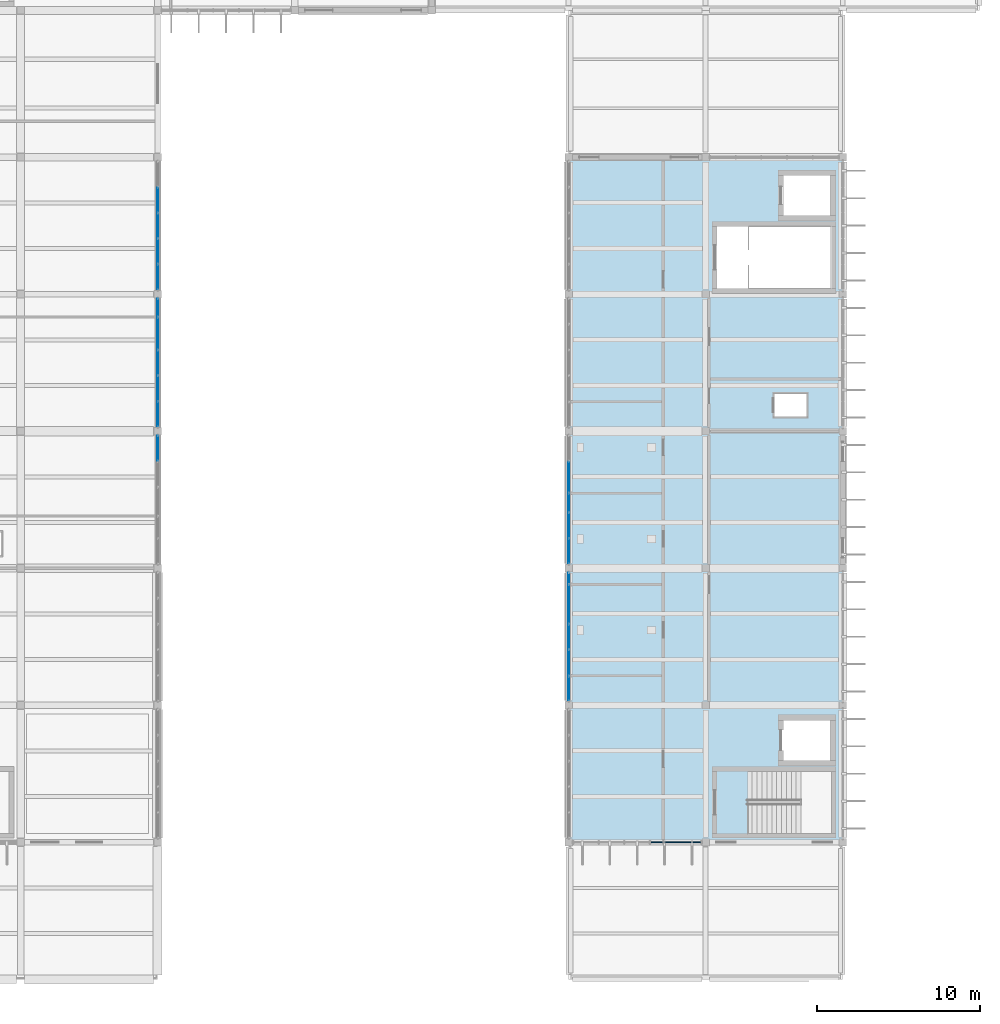
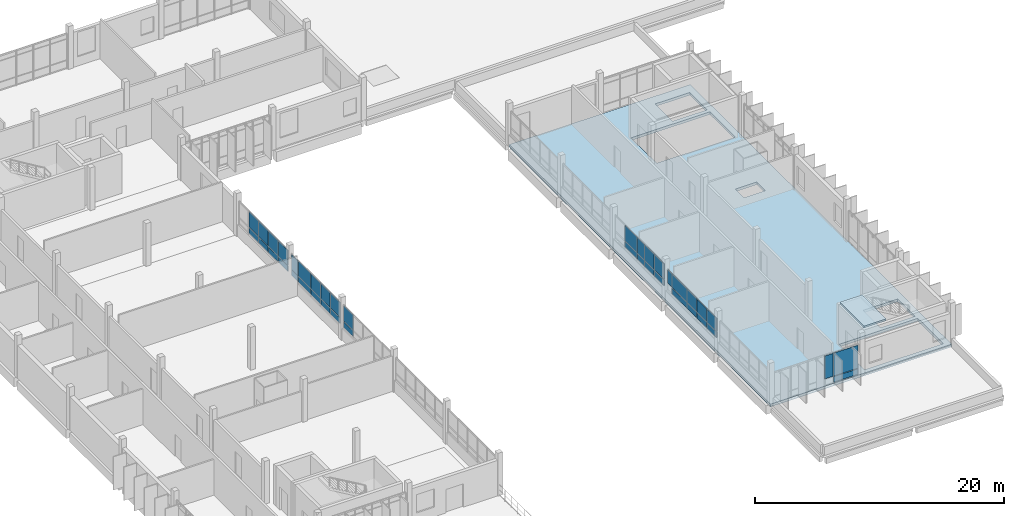
# One storey, part 45 of 62: 40 plates, 2 slabs, 5 openings, 7 elements without a shape of their own.
"""IFC4 building model written with IfcOpenShell, lengths in metres."""

from ifc_helpers import new_model, si_unit, direction, frame, origin, origin_2d, place, context, subcontext, project, spatial, polyline, rectangle, outline, extrude, material, layer, layer_set, type_object, element, aggregate, save


model = new_model("IFC4")

# Units and contexts
model_context = context("Model", 3, precision=1e-05, world=origin(), true_north=direction((0.0, 1.0)))
body_context = subcontext(model_context, "Body", "Model", "MODEL_VIEW")
ifc_project = project(units=[si_unit("LENGTHUNIT", "METRE"), si_unit("AREAUNIT", "SQUARE_METRE"), si_unit("VOLUMEUNIT", "CUBIC_METRE"), si_unit("PLANEANGLEUNIT", "RADIAN"), si_unit("MASSUNIT", "GRAM", prefix="KILO")], contexts=[model_context])

# Site, building, storey
site_placement = place(None, origin())
site = spatial("IfcSite", under=ifc_project, at=site_placement, CompositionType="ELEMENT")
building_placement = place(site_placement, origin())
building = spatial("IfcBuilding", under=site, at=building_placement, Name="Vireocrest Preparatory School", CompositionType="ELEMENT")
storey_placement = place(building_placement, frame((0.0, 0.0, 17.39990234375)))
storey = spatial("IfcBuildingStorey", under=building, at=storey_placement, Name="L04", CompositionType="ELEMENT", Elevation=17.39990234375)

# Curtain wall, plates
ifc_material_1 = material(Name="Thermally broken aluminium EN AW-6063-T6", Category="aluminium")
ifc_layer_1 = layer(ifc_material_1, 0.179931640625)
ifc_layer_set_1 = layer_set([ifc_layer_1], Name="Thermally broken aluminium EN AW-6063-T6")
curtain_wall_type_1 = type_object("IfcCurtainWallType", Name="Side Facade Curtain Wall 9000x4200", PredefinedType="USERDEFINED", material=ifc_layer_set_1)
curtain_wall_1_placement = place(storey_placement, origin())
curtain_wall_1 = element("IfcCurtainWall", 1, at=curtain_wall_1_placement, inside=storey, type_object=curtain_wall_type_1, Name="Curtain Wall CW07 CW_L04_CW07_0926_0438_174", ObjectType="CURTAIN WALL", PredefinedType="USERDEFINED")
ifc_material_2 = material(Name="Insulated triple low-e tempered safety glass", Category="glass")
ifc_layer_2 = layer(ifc_material_2, 0.074951171875)
ifc_layer_set_2 = layer_set([ifc_layer_2], Name="Insulated triple low-e tempered safety glass")
plate_type_1 = type_object("IfcPlateType", Name="Acoustic Triple-Glazed Lab Curtain Panel 75", PredefinedType="CURTAIN_PANEL", material=ifc_layer_set_2)
plate_1_placement = place(storey_placement, frame((97.7939453125, 43.800048828125, 0.732421875), z_axis=(0.0, 0.0, 1.0), x_axis=(1.0, 0.0, 0.0)))
plate_1 = element("IfcPlate", 2, at=plate_1_placement, type_object=plate_type_1, Name="CW Panel GL2 CW_L04_CW07_0926_0438_174-4-2", PredefinedType="CURTAIN_PANEL", context=body_context, shape_type="SweptSolid", body=[
    extrude(rectangle(XDim=0.7470703125, YDim=0.074951171875, at=origin_2d()), origin(), (0.0, 0.0, 1.0), 2.239990234375),
])
plate_2_placement = place(storey_placement, frame((99.3701171875, 43.800048828125, 0.127685546875), z_axis=(0.0, 0.0, 1.0), x_axis=(1.0, 0.0, 0.0)))
plate_2 = element("IfcPlate", 3, at=plate_2_placement, type_object=plate_type_1, Name="CW Panel GL2 CW_L04_CW07_0926_0438_174-5-1", PredefinedType="CURTAIN_PANEL", context=body_context, shape_type="SweptSolid", body=[
    extrude(rectangle(XDim=2.27490234375, YDim=0.074951171875, at=origin_2d()), origin(), (0.0, 0.0, 1.0), 0.5400390625),
])
plate_3_placement = place(storey_placement, frame((99.3701171875, 43.800048828125, 0.732421875), z_axis=(0.0, 0.0, 1.0), x_axis=(1.0, 0.0, 0.0)))
plate_3 = element("IfcPlate", 4, at=plate_3_placement, type_object=plate_type_1, Name="CW Panel GL2 CW_L04_CW07_0926_0438_174-5-2", PredefinedType="CURTAIN_PANEL", context=body_context, shape_type="SweptSolid", body=[
    extrude(rectangle(XDim=2.27490234375, YDim=0.074951171875, at=origin_2d()), origin(), (0.0, 0.0, 1.0), 2.239990234375),
])
aggregate(curtain_wall_1, [plate_1, plate_2, plate_3])

# Stair, slab
ifc_material_3 = material(Name="Concrete 40 MPa", Category="concrete")
stair_type = type_object("IfcStairType", Name="Feature Library Stair 4200 Rise 1800 Wide", PredefinedType="HALF_TURN_STAIR", material=ifc_material_3)
stair_placement = place(storey_placement, origin())
stair = element("IfcStair", 5, at=stair_placement, inside=storey, type_object=stair_type, Name="Two-Run Stair ST2-L04", PredefinedType="HALF_TURN_STAIR")
ifc_layer_3 = layer(ifc_material_3, 0.179931640625)
ifc_layer_set_3 = layer_set([ifc_layer_3], Name="Concrete 40 MPa")
slab_type_1 = type_object("IfcSlabType", Name="Precast Concrete Stair Landing Slab 180", PredefinedType="LANDING", material=ifc_layer_set_3)
slab_1_placement = place(storey_placement, frame((0.0, 0.0, 4.02001953125)))
slab_1 = element("IfcSlab", 6, at=slab_1_placement, type_object=slab_type_1, Name="Stair Arrival Landing ST2-L04", PredefinedType="LANDING", context=body_context, shape_type="SweptSolid", body=[
    extrude(outline(polyline([(101.35498046875, 44.31005859375), (103.409912109375, 44.31005859375), (103.409912109375, 48.18994140625), (101.35498046875, 48.18994140625), (101.35498046875, 44.31005859375)])), origin(), (0.0, 0.0, 1.0), 0.18017578125),
])
aggregate(stair, [slab_1])

# Slab, openings
ifc_layer_4 = layer(ifc_material_3, 0.260009765625)
ifc_layer_set_4 = layer_set([ifc_layer_4], Name="Concrete 40 MPa")
slab_type_2 = type_object("IfcSlabType", Name="Science Laboratory Low-Vibration RC Slab 260", PredefinedType="FLOOR", material=ifc_layer_set_4)
slab_2_placement = place(storey_placement, frame((0.0, 0.0, -0.260009765625)))
slab_2 = element("IfcSlab", 7, at=slab_2_placement, inside=storey, type_object=slab_type_2, Name="Slab L04_EAST_WING", PredefinedType="FLOOR", context=body_context, shape_type="SweptSolid", body=[
    extrude(outline(polyline([(92.39990234375, 43.800048828125), (109.199951171875, 43.800048828125), (109.199951171875, 85.800048828125), (92.39990234375, 85.800048828125), (92.39990234375, 43.800048828125)])), origin(), (0.0, 0.0, 1.0), 0.260009765625),
])
opening_1_placement = place(slab_2_placement, frame((0.0, 0.0, -0.010009765625)))
element("IfcOpeningElement", 8, at=opening_1_placement, cuts=slab_2, Name="Slab Opening SLAB_L04_EAST_WING-1", PredefinedType="OPENING", context=body_context, shape_type="SweptSolid", body=[
    extrude(outline(polyline([(101.35009765625, 44.199951171875), (108.64990234375, 44.199951171875), (108.64990234375, 48.300048828125), (101.35009765625, 48.300048828125), (101.35009765625, 44.199951171875)])), origin(), (0.0, 0.0, 1.0), 0.280029296875),
])
opening_2_placement = place(slab_2_placement, frame((0.0, 0.0, -0.010009765625)))
element("IfcOpeningElement", 9, at=opening_2_placement, cuts=slab_2, Name="Slab Opening SLAB_L04_EAST_WING-2", PredefinedType="OPENING", context=body_context, shape_type="SweptSolid", body=[
    extrude(outline(polyline([(105.39990234375, 48.64990234375), (108.60009765625, 48.64990234375), (108.60009765625, 51.449951171875), (105.39990234375, 51.449951171875), (105.39990234375, 48.64990234375)])), origin(), (0.0, 0.0, 1.0), 0.280029296875),
])
opening_3_placement = place(slab_2_placement, frame((0.0, 0.0, -0.010009765625)))
element("IfcOpeningElement", 10, at=opening_3_placement, cuts=slab_2, Name="Slab Opening SLAB_L04_EAST_WING-3", PredefinedType="OPENING", context=body_context, shape_type="SweptSolid", body=[
    extrude(outline(polyline([(101.35009765625, 77.60009765625), (108.64990234375, 77.60009765625), (108.64990234375, 81.699951171875), (101.35009765625, 81.699951171875), (101.35009765625, 77.60009765625)])), origin(), (0.0, 0.0, 1.0), 0.280029296875),
])
opening_4_placement = place(slab_2_placement, frame((0.0, 0.0, -0.010009765625)))
element("IfcOpeningElement", 11, at=opening_4_placement, cuts=slab_2, Name="Slab Opening SLAB_L04_EAST_WING-4", PredefinedType="OPENING", context=body_context, shape_type="SweptSolid", body=[
    extrude(outline(polyline([(105.39990234375, 82.050048828125), (108.60009765625, 82.050048828125), (108.60009765625, 84.85009765625), (105.39990234375, 84.85009765625), (105.39990234375, 82.050048828125)])), origin(), (0.0, 0.0, 1.0), 0.280029296875),
])
opening_5_placement = place(slab_2_placement, frame((0.0, 0.0, -0.010009765625)))
element("IfcOpeningElement", 12, at=opening_5_placement, cuts=slab_2, Name="Slab Opening SLAB_L04_EAST_WING-5", PredefinedType="OPENING", context=body_context, shape_type="SweptSolid", body=[
    extrude(outline(polyline([(105.0, 69.89990234375), (107.0, 69.89990234375), (107.0, 71.300048828125), (105.0, 71.300048828125), (105.0, 69.89990234375)])), origin(), (0.0, 0.0, 1.0), 0.280029296875),
])

# Curtain wall, plates
ifc_layer_5 = layer(ifc_material_1, 0.179931640625)
ifc_layer_set_5 = layer_set([ifc_layer_5], Name="Thermally broken aluminium EN AW-6063-T6")
curtain_wall_type_2 = type_object("IfcCurtainWallType", Name="Court Banded Curtain Wall 8400x3000", PredefinedType="USERDEFINED", material=ifc_layer_set_5)
curtain_wall_2_placement = place(storey_placement, origin())
curtain_wall_2 = element("IfcCurtainWall", 13, at=curtain_wall_2_placement, inside=storey, type_object=curtain_wall_type_2, Name="Curtain Wall CW02 CW_L04_CW02_0672_0608_186", ObjectType="CURTAIN WALL", PredefinedType="USERDEFINED")
ifc_layer_6 = layer(ifc_material_2, 0.06005859375)
ifc_layer_set_6 = layer_set([ifc_layer_6], Name="Insulated triple low-e tempered safety glass")
plate_type_2 = type_object("IfcPlateType", Name="Triple-Glazed Vision Curtain Panel 60", PredefinedType="CURTAIN_PANEL", material=ifc_layer_set_6)
plate_4_placement = place(storey_placement, frame((67.199951171875, 67.951904296875, 1.277587890625), z_axis=(0.0, 0.0, 1.0), x_axis=(0.0, 1.0, 0.0)))
plate_4 = element("IfcPlate", 14, at=plate_4_placement, type_object=plate_type_2, Name="CW Panel GL1 CW_L04_CW02_0672_0608_186-5-1", PredefinedType="CURTAIN_PANEL", context=body_context, shape_type="SweptSolid", body=[
    extrude(rectangle(XDim=1.510986328125, YDim=0.06005859375, at=origin_2d()), origin(), (0.0, 0.0, 1.0), 0.5400390625),
])
plate_5_placement = place(storey_placement, frame((67.199951171875, 67.951904296875, 1.8828125), z_axis=(0.0, 0.0, 1.0), x_axis=(0.0, 1.0, 0.0)))
plate_5 = element("IfcPlate", 15, at=plate_5_placement, type_object=plate_type_2, Name="CW Panel GL1 CW_L04_CW02_0672_0608_186-5-2", PredefinedType="CURTAIN_PANEL", context=body_context, shape_type="SweptSolid", body=[
    extrude(rectangle(XDim=1.510986328125, YDim=0.06005859375, at=origin_2d()), origin(), (0.0, 0.0, 1.0), 1.489990234375),
])
aggregate(curtain_wall_2, [plate_4, plate_5])

curtain_wall_3_placement = place(storey_placement, origin())
curtain_wall_3 = element("IfcCurtainWall", 16, at=curtain_wall_3_placement, inside=storey, type_object=curtain_wall_type_2, Name="Curtain Wall CW02 CW_L04_CW02_0672_0692_186", ObjectType="CURTAIN WALL", PredefinedType="USERDEFINED")
plate_6_placement = place(storey_placement, frame((67.199951171875, 70.048095703125, 1.277587890625), z_axis=(0.0, 0.0, 1.0), x_axis=(0.0, 1.0, 0.0)))
plate_6 = element("IfcPlate", 17, at=plate_6_placement, type_object=plate_type_2, Name="CW Panel GL1 CW_L04_CW02_0672_0692_186-1-1", PredefinedType="CURTAIN_PANEL", context=body_context, shape_type="SweptSolid", body=[
    extrude(rectangle(XDim=1.510986328125, YDim=0.06005859375, at=origin_2d()), origin(), (0.0, 0.0, 1.0), 0.5400390625),
])
plate_7_placement = place(storey_placement, frame((67.199951171875, 70.048095703125, 1.882568359375), z_axis=(0.0, 0.0, 1.0), x_axis=(0.0, 1.0, 0.0)))
plate_7 = element("IfcPlate", 18, at=plate_7_placement, type_object=plate_type_2, Name="CW Panel GL1 CW_L04_CW02_0672_0692_186-1-2", PredefinedType="CURTAIN_PANEL", context=body_context, shape_type="SweptSolid", body=[
    extrude(rectangle(XDim=1.510986328125, YDim=0.06005859375, at=origin_2d()), origin(), (0.0, 0.0, 1.0), 1.43994140625),
])
plate_8_placement = place(storey_placement, frame((67.199951171875, 71.6240234375, 1.277587890625), z_axis=(0.0, 0.0, 1.0), x_axis=(0.0, 1.0, 0.0)))
plate_8 = element("IfcPlate", 19, at=plate_8_placement, type_object=plate_type_2, Name="CW Panel GL1 CW_L04_CW02_0672_0692_186-2-1", PredefinedType="CURTAIN_PANEL", context=body_context, shape_type="SweptSolid", body=[
    extrude(rectangle(XDim=1.510986328125, YDim=0.06005859375, at=origin_2d()), origin(), (0.0, 0.0, 1.0), 0.5400390625),
])
plate_9_placement = place(storey_placement, frame((67.199951171875, 71.6240234375, 1.882568359375), z_axis=(0.0, 0.0, 1.0), x_axis=(0.0, 1.0, 0.0)))
plate_9 = element("IfcPlate", 20, at=plate_9_placement, type_object=plate_type_2, Name="CW Panel GL1 CW_L04_CW02_0672_0692_186-2-2", PredefinedType="CURTAIN_PANEL", context=body_context, shape_type="SweptSolid", body=[
    extrude(rectangle(XDim=1.510986328125, YDim=0.06005859375, at=origin_2d()), origin(), (0.0, 0.0, 1.0), 1.43994140625),
])
plate_10_placement = place(storey_placement, frame((67.199951171875, 73.199951171875, 1.277587890625), z_axis=(0.0, 0.0, 1.0), x_axis=(0.0, 1.0, 0.0)))
plate_10 = element("IfcPlate", 21, at=plate_10_placement, type_object=plate_type_2, Name="CW Panel GL1 CW_L04_CW02_0672_0692_186-3-1", PredefinedType="CURTAIN_PANEL", context=body_context, shape_type="SweptSolid", body=[
    extrude(rectangle(XDim=1.510986328125, YDim=0.06005859375, at=origin_2d()), origin(), (0.0, 0.0, 1.0), 0.5400390625),
])
plate_11_placement = place(storey_placement, frame((67.199951171875, 73.199951171875, 1.882568359375), z_axis=(0.0, 0.0, 1.0), x_axis=(0.0, 1.0, 0.0)))
plate_11 = element("IfcPlate", 22, at=plate_11_placement, type_object=plate_type_2, Name="CW Panel GL1 CW_L04_CW02_0672_0692_186-3-2", PredefinedType="CURTAIN_PANEL", context=body_context, shape_type="SweptSolid", body=[
    extrude(rectangle(XDim=1.510986328125, YDim=0.06005859375, at=origin_2d()), origin(), (0.0, 0.0, 1.0), 1.43994140625),
])
plate_12_placement = place(storey_placement, frame((67.199951171875, 74.993896484375, 1.277587890625), z_axis=(0.0, 0.0, 1.0), x_axis=(0.0, 1.0, 0.0)))
plate_12 = element("IfcPlate", 23, at=plate_12_placement, type_object=plate_type_2, Name="CW Panel GL1 CW_L04_CW02_0672_0692_186-4-1", PredefinedType="CURTAIN_PANEL", context=body_context, shape_type="SweptSolid", body=[
    extrude(rectangle(XDim=1.947021484375, YDim=0.06005859375, at=origin_2d()), origin(), (0.0, 0.0, 1.0), 0.5400390625),
])
plate_13_placement = place(storey_placement, frame((67.199951171875, 74.993896484375, 1.882568359375), z_axis=(0.0, 0.0, 1.0), x_axis=(0.0, 1.0, 0.0)))
plate_13 = element("IfcPlate", 24, at=plate_13_placement, type_object=plate_type_2, Name="CW Panel GL1 CW_L04_CW02_0672_0692_186-4-2", PredefinedType="CURTAIN_PANEL", context=body_context, shape_type="SweptSolid", body=[
    extrude(rectangle(XDim=1.947021484375, YDim=0.06005859375, at=origin_2d()), origin(), (0.0, 0.0, 1.0), 1.43994140625),
])
plate_14_placement = place(storey_placement, frame((67.199951171875, 76.570068359375, 1.277587890625), z_axis=(0.0, 0.0, 1.0), x_axis=(0.0, 1.0, 0.0)))
plate_14 = element("IfcPlate", 25, at=plate_14_placement, type_object=plate_type_2, Name="CW Panel GL1 CW_L04_CW02_0672_0692_186-5-1", PredefinedType="CURTAIN_PANEL", context=body_context, shape_type="SweptSolid", body=[
    extrude(rectangle(XDim=1.074951171875, YDim=0.06005859375, at=origin_2d()), origin(), (0.0, 0.0, 1.0), 0.5400390625),
])
plate_15_placement = place(storey_placement, frame((67.199951171875, 76.570068359375, 1.882568359375), z_axis=(0.0, 0.0, 1.0), x_axis=(0.0, 1.0, 0.0)))
plate_15 = element("IfcPlate", 26, at=plate_15_placement, type_object=plate_type_2, Name="CW Panel GL1 CW_L04_CW02_0672_0692_186-5-2", PredefinedType="CURTAIN_PANEL", context=body_context, shape_type="SweptSolid", body=[
    extrude(rectangle(XDim=1.074951171875, YDim=0.06005859375, at=origin_2d()), origin(), (0.0, 0.0, 1.0), 1.43994140625),
])
aggregate(curtain_wall_3, [plate_6, plate_7, plate_8, plate_9, plate_10, plate_11, plate_12, plate_13, plate_14, plate_15])

curtain_wall_4_placement = place(storey_placement, origin())
curtain_wall_4 = element("IfcCurtainWall", 27, at=curtain_wall_4_placement, inside=storey, type_object=curtain_wall_type_2, Name="Curtain Wall CW02 CW_L04_CW02_0672_0776_186", ObjectType="CURTAIN WALL", PredefinedType="USERDEFINED")
plate_16_placement = place(storey_placement, frame((67.199951171875, 78.447998046875, 1.277587890625), z_axis=(0.0, 0.0, 1.0), x_axis=(0.0, 1.0, 0.0)))
plate_16 = element("IfcPlate", 28, at=plate_16_placement, type_object=plate_type_2, Name="CW Panel GL1 CW_L04_CW02_0672_0776_186-1-1", PredefinedType="CURTAIN_PANEL", context=body_context, shape_type="SweptSolid", body=[
    extrude(rectangle(XDim=1.510986328125, YDim=0.06005859375, at=origin_2d()), origin(), (0.0, 0.0, 1.0), 0.5400390625),
])
plate_17_placement = place(storey_placement, frame((67.199951171875, 78.447998046875, 1.8828125), z_axis=(0.0, 0.0, 1.0), x_axis=(0.0, 1.0, 0.0)))
plate_17 = element("IfcPlate", 29, at=plate_17_placement, type_object=plate_type_2, Name="CW Panel GL1 CW_L04_CW02_0672_0776_186-1-2", PredefinedType="CURTAIN_PANEL", context=body_context, shape_type="SweptSolid", body=[
    extrude(rectangle(XDim=1.510986328125, YDim=0.06005859375, at=origin_2d()), origin(), (0.0, 0.0, 1.0), 1.489990234375),
])
plate_18_placement = place(storey_placement, frame((67.199951171875, 80.02392578125, 1.277587890625), z_axis=(0.0, 0.0, 1.0), x_axis=(0.0, 1.0, 0.0)))
plate_18 = element("IfcPlate", 30, at=plate_18_placement, type_object=plate_type_2, Name="CW Panel GL1 CW_L04_CW02_0672_0776_186-2-1", PredefinedType="CURTAIN_PANEL", context=body_context, shape_type="SweptSolid", body=[
    extrude(rectangle(XDim=1.510986328125, YDim=0.06005859375, at=origin_2d()), origin(), (0.0, 0.0, 1.0), 0.5400390625),
])
plate_19_placement = place(storey_placement, frame((67.199951171875, 80.02392578125, 1.8828125), z_axis=(0.0, 0.0, 1.0), x_axis=(0.0, 1.0, 0.0)))
plate_19 = element("IfcPlate", 31, at=plate_19_placement, type_object=plate_type_2, Name="CW Panel GL1 CW_L04_CW02_0672_0776_186-2-2", PredefinedType="CURTAIN_PANEL", context=body_context, shape_type="SweptSolid", body=[
    extrude(rectangle(XDim=1.510986328125, YDim=0.06005859375, at=origin_2d()), origin(), (0.0, 0.0, 1.0), 1.489990234375),
])
plate_20_placement = place(storey_placement, frame((67.199951171875, 81.60009765625, 1.277587890625), z_axis=(0.0, 0.0, 1.0), x_axis=(0.0, 1.0, 0.0)))
plate_20 = element("IfcPlate", 32, at=plate_20_placement, type_object=plate_type_2, Name="CW Panel GL1 CW_L04_CW02_0672_0776_186-3-1", PredefinedType="CURTAIN_PANEL", context=body_context, shape_type="SweptSolid", body=[
    extrude(rectangle(XDim=1.510986328125, YDim=0.06005859375, at=origin_2d()), origin(), (0.0, 0.0, 1.0), 0.5400390625),
])
plate_21_placement = place(storey_placement, frame((67.199951171875, 81.60009765625, 1.8828125), z_axis=(0.0, 0.0, 1.0), x_axis=(0.0, 1.0, 0.0)))
plate_21 = element("IfcPlate", 33, at=plate_21_placement, type_object=plate_type_2, Name="CW Panel GL1 CW_L04_CW02_0672_0776_186-3-2", PredefinedType="CURTAIN_PANEL", context=body_context, shape_type="SweptSolid", body=[
    extrude(rectangle(XDim=1.510986328125, YDim=0.06005859375, at=origin_2d()), origin(), (0.0, 0.0, 1.0), 1.489990234375),
])
plate_22_placement = place(storey_placement, frame((67.199951171875, 83.176025390625, 1.277587890625), z_axis=(0.0, 0.0, 1.0), x_axis=(0.0, 1.0, 0.0)))
plate_22 = element("IfcPlate", 34, at=plate_22_placement, type_object=plate_type_2, Name="CW Panel GL1 CW_L04_CW02_0672_0776_186-4-1", PredefinedType="CURTAIN_PANEL", context=body_context, shape_type="SweptSolid", body=[
    extrude(rectangle(XDim=1.510986328125, YDim=0.06005859375, at=origin_2d()), origin(), (0.0, 0.0, 1.0), 0.5400390625),
])
plate_23_placement = place(storey_placement, frame((67.199951171875, 83.176025390625, 1.8828125), z_axis=(0.0, 0.0, 1.0), x_axis=(0.0, 1.0, 0.0)))
plate_23 = element("IfcPlate", 35, at=plate_23_placement, type_object=plate_type_2, Name="CW Panel GL1 CW_L04_CW02_0672_0776_186-4-2", PredefinedType="CURTAIN_PANEL", context=body_context, shape_type="SweptSolid", body=[
    extrude(rectangle(XDim=1.510986328125, YDim=0.06005859375, at=origin_2d()), origin(), (0.0, 0.0, 1.0), 1.489990234375),
])
aggregate(curtain_wall_4, [plate_16, plate_17, plate_18, plate_19, plate_20, plate_21, plate_22, plate_23])

curtain_wall_5_placement = place(storey_placement, origin())
curtain_wall_5 = element("IfcCurtainWall", 36, at=curtain_wall_5_placement, inside=storey, type_object=curtain_wall_type_2, Name="Curtain Wall CW02 CW_L04_CW02_0924_0524_186", ObjectType="CURTAIN WALL", PredefinedType="USERDEFINED")
plate_24_placement = place(storey_placement, frame((92.39990234375, 53.22998046875, 1.277587890625), z_axis=(0.0, 0.0, 1.0), x_axis=(0.0, 1.0, 0.0)))
plate_24 = element("IfcPlate", 37, at=plate_24_placement, type_object=plate_type_2, Name="CW Panel GL1 CW_L04_CW02_0924_0524_186-1-1", PredefinedType="CURTAIN_PANEL", context=body_context, shape_type="SweptSolid", body=[
    extrude(rectangle(XDim=1.47509765625, YDim=0.06005859375, at=origin_2d()), origin(), (0.0, 0.0, 1.0), 0.5400390625),
])
plate_25_placement = place(storey_placement, frame((92.39990234375, 53.22998046875, 1.882568359375), z_axis=(0.0, 0.0, 1.0), x_axis=(0.0, 1.0, 0.0)))
plate_25 = element("IfcPlate", 38, at=plate_25_placement, type_object=plate_type_2, Name="CW Panel GL1 CW_L04_CW02_0924_0524_186-1-2", PredefinedType="CURTAIN_PANEL", context=body_context, shape_type="SweptSolid", body=[
    extrude(rectangle(XDim=1.47509765625, YDim=0.06005859375, at=origin_2d()), origin(), (0.0, 0.0, 1.0), 1.2900390625),
])
plate_26_placement = place(storey_placement, frame((92.39990234375, 54.805908203125, 1.277587890625), z_axis=(0.0, 0.0, 1.0), x_axis=(0.0, 1.0, 0.0)))
plate_26 = element("IfcPlate", 39, at=plate_26_placement, type_object=plate_type_2, Name="CW Panel GL1 CW_L04_CW02_0924_0524_186-2-1", PredefinedType="CURTAIN_PANEL", context=body_context, shape_type="SweptSolid", body=[
    extrude(rectangle(XDim=1.547119140625, YDim=0.06005859375, at=origin_2d()), origin(), (0.0, 0.0, 1.0), 0.5400390625),
])
plate_27_placement = place(storey_placement, frame((92.39990234375, 54.805908203125, 1.882568359375), z_axis=(0.0, 0.0, 1.0), x_axis=(0.0, 1.0, 0.0)))
plate_27 = element("IfcPlate", 40, at=plate_27_placement, type_object=plate_type_2, Name="CW Panel GL1 CW_L04_CW02_0924_0524_186-2-2", PredefinedType="CURTAIN_PANEL", context=body_context, shape_type="SweptSolid", body=[
    extrude(rectangle(XDim=1.547119140625, YDim=0.06005859375, at=origin_2d()), origin(), (0.0, 0.0, 1.0), 1.2900390625),
])
plate_28_placement = place(storey_placement, frame((92.39990234375, 56.39990234375, 1.277587890625), z_axis=(0.0, 0.0, 1.0), x_axis=(0.0, 1.0, 0.0)))
plate_28 = element("IfcPlate", 41, at=plate_28_placement, type_object=plate_type_2, Name="CW Panel GL1 CW_L04_CW02_0924_0524_186-3-1", PredefinedType="CURTAIN_PANEL", context=body_context, shape_type="SweptSolid", body=[
    extrude(rectangle(XDim=1.510986328125, YDim=0.06005859375, at=origin_2d()), origin(), (0.0, 0.0, 1.0), 0.5400390625),
])
plate_29_placement = place(storey_placement, frame((92.39990234375, 56.39990234375, 1.882568359375), z_axis=(0.0, 0.0, 1.0), x_axis=(0.0, 1.0, 0.0)))
plate_29 = element("IfcPlate", 42, at=plate_29_placement, type_object=plate_type_2, Name="CW Panel GL1 CW_L04_CW02_0924_0524_186-3-2", PredefinedType="CURTAIN_PANEL", context=body_context, shape_type="SweptSolid", body=[
    extrude(rectangle(XDim=1.510986328125, YDim=0.06005859375, at=origin_2d()), origin(), (0.0, 0.0, 1.0), 1.2900390625),
])
plate_30_placement = place(storey_placement, frame((92.39990234375, 58.39404296875, 1.277587890625), z_axis=(0.0, 0.0, 1.0), x_axis=(0.0, 1.0, 0.0)))
plate_30 = element("IfcPlate", 43, at=plate_30_placement, type_object=plate_type_2, Name="CW Panel GL1 CW_L04_CW02_0924_0524_186-4-1", PredefinedType="CURTAIN_PANEL", context=body_context, shape_type="SweptSolid", body=[
    extrude(rectangle(XDim=2.346923828125, YDim=0.06005859375, at=origin_2d()), origin(), (0.0, 0.0, 1.0), 0.5400390625),
])
plate_31_placement = place(storey_placement, frame((92.39990234375, 58.39404296875, 1.882568359375), z_axis=(0.0, 0.0, 1.0), x_axis=(0.0, 1.0, 0.0)))
plate_31 = element("IfcPlate", 44, at=plate_31_placement, type_object=plate_type_2, Name="CW Panel GL1 CW_L04_CW02_0924_0524_186-4-2", PredefinedType="CURTAIN_PANEL", context=body_context, shape_type="SweptSolid", body=[
    extrude(rectangle(XDim=2.346923828125, YDim=0.06005859375, at=origin_2d()), origin(), (0.0, 0.0, 1.0), 1.2900390625),
])
plate_32_placement = place(storey_placement, frame((92.39990234375, 59.969970703125, 1.882568359375), z_axis=(0.0, 0.0, 1.0), x_axis=(0.0, 1.0, 0.0)))
plate_32 = element("IfcPlate", 45, at=plate_32_placement, type_object=plate_type_2, Name="CW Panel GL1 CW_L04_CW02_0924_0524_186-5-2", PredefinedType="CURTAIN_PANEL", context=body_context, shape_type="SweptSolid", body=[
    extrude(rectangle(XDim=0.675048828125, YDim=0.06005859375, at=origin_2d()), origin(), (0.0, 0.0, 1.0), 1.2900390625),
])
aggregate(curtain_wall_5, [plate_24, plate_25, plate_26, plate_27, plate_28, plate_29, plate_30, plate_31, plate_32])

curtain_wall_6_placement = place(storey_placement, origin())
curtain_wall_6 = element("IfcCurtainWall", 46, at=curtain_wall_6_placement, inside=storey, type_object=curtain_wall_type_2, Name="Curtain Wall CW02 CW_L04_CW02_0924_0608_186", ObjectType="CURTAIN WALL", PredefinedType="USERDEFINED")
plate_33_placement = place(storey_placement, frame((92.39990234375, 61.64794921875, 1.277587890625), z_axis=(0.0, 0.0, 1.0), x_axis=(0.0, 1.0, 0.0)))
plate_33 = element("IfcPlate", 47, at=plate_33_placement, type_object=plate_type_2, Name="CW Panel GL1 CW_L04_CW02_0924_0608_186-1-1", PredefinedType="CURTAIN_PANEL", context=body_context, shape_type="SweptSolid", body=[
    extrude(rectangle(XDim=1.510986328125, YDim=0.06005859375, at=origin_2d()), origin(), (0.0, 0.0, 1.0), 0.5400390625),
])
plate_34_placement = place(storey_placement, frame((92.39990234375, 61.64794921875, 1.8828125), z_axis=(0.0, 0.0, 1.0), x_axis=(0.0, 1.0, 0.0)))
plate_34 = element("IfcPlate", 48, at=plate_34_placement, type_object=plate_type_2, Name="CW Panel GL1 CW_L04_CW02_0924_0608_186-1-2", PredefinedType="CURTAIN_PANEL", context=body_context, shape_type="SweptSolid", body=[
    extrude(rectangle(XDim=1.510986328125, YDim=0.06005859375, at=origin_2d()), origin(), (0.0, 0.0, 1.0), 1.489990234375),
])
plate_35_placement = place(storey_placement, frame((92.39990234375, 63.22412109375, 1.277587890625), z_axis=(0.0, 0.0, 1.0), x_axis=(0.0, 1.0, 0.0)))
plate_35 = element("IfcPlate", 49, at=plate_35_placement, type_object=plate_type_2, Name="CW Panel GL1 CW_L04_CW02_0924_0608_186-2-1", PredefinedType="CURTAIN_PANEL", context=body_context, shape_type="SweptSolid", body=[
    extrude(rectangle(XDim=1.510986328125, YDim=0.06005859375, at=origin_2d()), origin(), (0.0, 0.0, 1.0), 0.5400390625),
])
plate_36_placement = place(storey_placement, frame((92.39990234375, 63.22412109375, 1.8828125), z_axis=(0.0, 0.0, 1.0), x_axis=(0.0, 1.0, 0.0)))
plate_36 = element("IfcPlate", 50, at=plate_36_placement, type_object=plate_type_2, Name="CW Panel GL1 CW_L04_CW02_0924_0608_186-2-2", PredefinedType="CURTAIN_PANEL", context=body_context, shape_type="SweptSolid", body=[
    extrude(rectangle(XDim=1.510986328125, YDim=0.06005859375, at=origin_2d()), origin(), (0.0, 0.0, 1.0), 1.489990234375),
])
plate_37_placement = place(storey_placement, frame((92.39990234375, 64.60595703125, 1.277587890625), z_axis=(0.0, 0.0, 1.0), x_axis=(0.0, 1.0, 0.0)))
plate_37 = element("IfcPlate", 51, at=plate_37_placement, type_object=plate_type_2, Name="CW Panel GL1 CW_L04_CW02_0924_0608_186-3-1", PredefinedType="CURTAIN_PANEL", context=body_context, shape_type="SweptSolid", body=[
    extrude(rectangle(XDim=1.123046875, YDim=0.06005859375, at=origin_2d()), origin(), (0.0, 0.0, 1.0), 0.5400390625),
])
plate_38_placement = place(storey_placement, frame((92.39990234375, 64.60595703125, 1.8828125), z_axis=(0.0, 0.0, 1.0), x_axis=(0.0, 1.0, 0.0)))
plate_38 = element("IfcPlate", 52, at=plate_38_placement, type_object=plate_type_2, Name="CW Panel GL1 CW_L04_CW02_0924_0608_186-3-2", PredefinedType="CURTAIN_PANEL", context=body_context, shape_type="SweptSolid", body=[
    extrude(rectangle(XDim=1.123046875, YDim=0.06005859375, at=origin_2d()), origin(), (0.0, 0.0, 1.0), 1.489990234375),
])
plate_39_placement = place(storey_placement, frame((92.39990234375, 66.181884765625, 1.277587890625), z_axis=(0.0, 0.0, 1.0), x_axis=(0.0, 1.0, 0.0)))
plate_39 = element("IfcPlate", 53, at=plate_39_placement, type_object=plate_type_2, Name="CW Panel GL1 CW_L04_CW02_0924_0608_186-4-1", PredefinedType="CURTAIN_PANEL", context=body_context, shape_type="SweptSolid", body=[
    extrude(rectangle(XDim=1.89892578125, YDim=0.06005859375, at=origin_2d()), origin(), (0.0, 0.0, 1.0), 0.5400390625),
])
plate_40_placement = place(storey_placement, frame((92.39990234375, 66.181884765625, 1.8828125), z_axis=(0.0, 0.0, 1.0), x_axis=(0.0, 1.0, 0.0)))
plate_40 = element("IfcPlate", 54, at=plate_40_placement, type_object=plate_type_2, Name="CW Panel GL1 CW_L04_CW02_0924_0608_186-4-2", PredefinedType="CURTAIN_PANEL", context=body_context, shape_type="SweptSolid", body=[
    extrude(rectangle(XDim=1.89892578125, YDim=0.06005859375, at=origin_2d()), origin(), (0.0, 0.0, 1.0), 1.489990234375),
])
aggregate(curtain_wall_6, [plate_33, plate_34, plate_35, plate_36, plate_37, plate_38, plate_39, plate_40])

save(model, "model.ifc")
